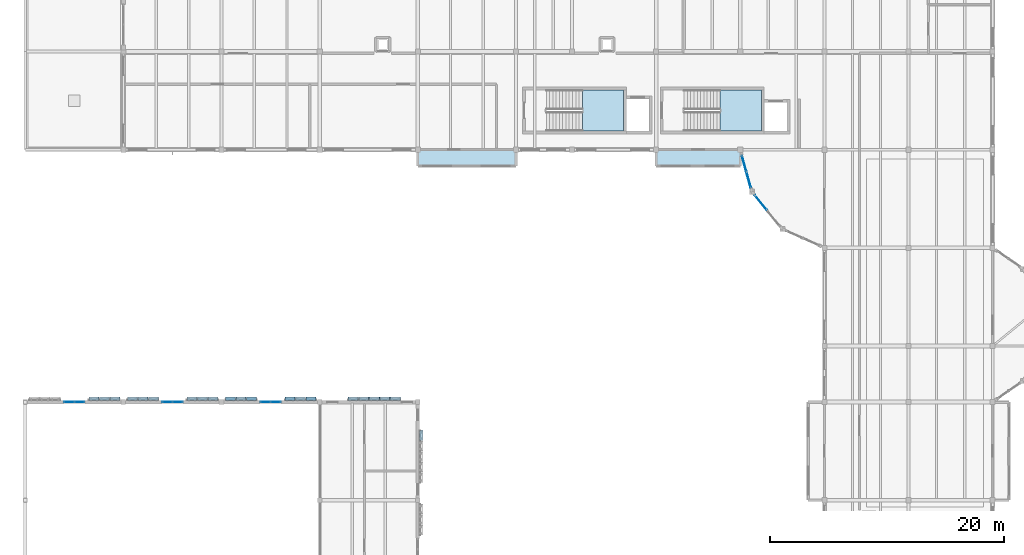
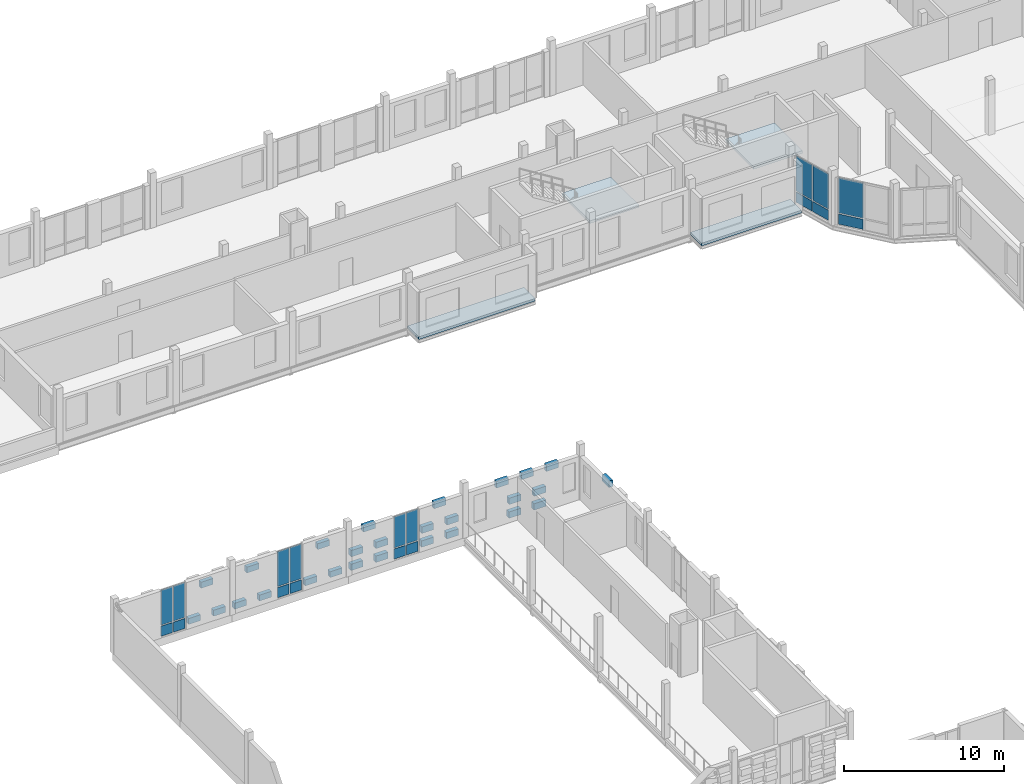
# One storey, part 38 of 81: 45 plates, 4 slabs, 7 elements without a shape of their own.
"""IFC4 building model written with IfcOpenShell, lengths in metres."""

from ifc_helpers import new_model, si_unit, direction, frame, origin, origin_2d, place, context, subcontext, project, spatial, polyline, rectangle, outline, extrude, material, layer, layer_set, type_object, element, aggregate, save


model = new_model("IFC4")

# Units and contexts
model_context = context("Model", 3, precision=1e-05, world=origin(), true_north=direction((0.0, 1.0)))
body_context = subcontext(model_context, "Body", "Model", "MODEL_VIEW")
ifc_project = project(units=[si_unit("LENGTHUNIT", "METRE"), si_unit("AREAUNIT", "SQUARE_METRE"), si_unit("VOLUMEUNIT", "CUBIC_METRE"), si_unit("PLANEANGLEUNIT", "RADIAN"), si_unit("MASSUNIT", "GRAM", prefix="KILO")], contexts=[model_context])

# Site, building, storey
site_placement = place(None, origin())
site = spatial("IfcSite", under=ifc_project, at=site_placement, CompositionType="ELEMENT")
building_placement = place(site_placement, origin())
building = spatial("IfcBuilding", under=site, at=building_placement, Name="Kahlenmark Community Centre", CompositionType="ELEMENT")
storey_placement = place(building_placement, frame((0.0, 0.0, 9.60009765625)))
storey = spatial("IfcBuildingStorey", under=building, at=storey_placement, Name="L02", CompositionType="ELEMENT", Elevation=9.60009765625)

# Curtain wall, plates
ifc_material_1 = material(Name="Anodised aluminium unitised curtain wall", Category="aluminium")
curtain_wall_type_1 = type_object("IfcCurtainWallType", Name="CWT-UNIT-290X361", PredefinedType="USERDEFINED", material=ifc_material_1)
curtain_wall_1_placement = place(storey_placement, origin())
curtain_wall_1 = element("IfcCurtainWall", 1, at=curtain_wall_1_placement, inside=storey, type_object=curtain_wall_type_1, Name="Unitised curtain wall CW-179", ObjectType="UNITISED CURTAIN WALL", PredefinedType="USERDEFINED")
ifc_material_2 = material(Name="Triple low-e solar-control glass unit", Category="glass")
ifc_layer_1 = layer(ifc_material_2, 0.0439453125)
ifc_layer_set_1 = layer_set([ifc_layer_1], Name="Triple low-e solar-control glass unit")
plate_type_1 = type_object("IfcPlateType", Name="PLT-CW-GLZ-1368X2680", PredefinedType="CURTAIN_PANEL", material=ifc_layer_set_1)
plate_1_placement = place(storey_placement, frame((65.527587890625, 96.420654296875, 0.89013671875), z_axis=(0.0, 0.0, 1.0), x_axis=(0.26765376878, -0.963515158188, 0.0)))
plate_1 = element("IfcPlate", 2, at=plate_1_placement, type_object=plate_type_1, Name="CW-179 glazed panel 1", PredefinedType="CURTAIN_PANEL", context=body_context, shape_type="SweptSolid", body=[
    extrude(rectangle(XDim=1.3681640625, YDim=0.0439453125, at=origin_2d()), origin(), (0.0, 0.0, 1.0), 2.679931640625),
])
plate_2_placement = place(storey_placement, frame((65.915283203125, 95.025146484375, 0.89013671875), z_axis=(0.0, 0.0, 1.0), x_axis=(0.26765376878, -0.963515158188, 0.0)))
plate_2 = element("IfcPlate", 3, at=plate_2_placement, type_object=plate_type_1, Name="CW-179 glazed panel 2", PredefinedType="CURTAIN_PANEL", context=body_context, shape_type="SweptSolid", body=[
    extrude(rectangle(XDim=1.3681640625, YDim=0.0439453125, at=origin_2d()), origin(), (0.0, 0.0, 1.0), 2.679931640625),
])

# Curtain wall, plate
curtain_wall_type_2 = type_object("IfcCurtainWallType", Name="CWT-UNIT-344X361", PredefinedType="USERDEFINED", material=ifc_material_1)
curtain_wall_2_placement = place(storey_placement, origin())
curtain_wall_2 = element("IfcCurtainWall", 4, at=curtain_wall_2_placement, inside=storey, type_object=curtain_wall_type_2, Name="Unitised curtain wall CW-180", ObjectType="UNITISED CURTAIN WALL", PredefinedType="USERDEFINED")
ifc_layer_2 = layer(ifc_material_2, 0.0439453125)
ifc_layer_set_2 = layer_set([ifc_layer_2], Name="Triple low-e solar-control glass unit")
plate_type_2 = type_object("IfcPlateType", Name="PLT-CW-GLZ-1642X2680", PredefinedType="CURTAIN_PANEL", material=ifc_layer_set_2)
plate_3_placement = place(storey_placement, frame((66.957275390625, 93.068115234375, 0.89013671875), z_axis=(0.0, 0.0, 1.0), x_axis=(0.63059860029, -0.776109145231, 0.0)))
plate_3 = element("IfcPlate", 5, at=plate_3_placement, type_object=plate_type_2, Name="CW-180 glazed panel 1", PredefinedType="CURTAIN_PANEL", context=body_context, shape_type="SweptSolid", body=[
    extrude(rectangle(XDim=1.6416015625, YDim=0.0439453125, at=origin_2d()), origin(), (0.0, 0.0, 1.0), 2.679931640625),
])

# Curtain wall, plates
curtain_wall_type_3 = type_object("IfcCurtainWallType", Name="CWT-UNIT-180X331", PredefinedType="USERDEFINED", material=ifc_material_1)
curtain_wall_3_placement = place(storey_placement, origin())
curtain_wall_3 = element("IfcCurtainWall", 6, at=curtain_wall_3_placement, inside=storey, type_object=curtain_wall_type_3, Name="Unitised curtain wall CW-076", ObjectType="UNITISED CURTAIN WALL", PredefinedType="USERDEFINED")
ifc_layer_3 = layer(ifc_material_2, 0.0439453125)
ifc_layer_set_3 = layer_set([ifc_layer_3], Name="Triple low-e solar-control glass unit")
plate_type_3 = type_object("IfcPlateType", Name="PLT-CW-GLZ-820X2380", PredefinedType="CURTAIN_PANEL", material=ifc_layer_set_3)
plate_4_placement = place(storey_placement, frame((25.449951171875, 76.0, 0.889892578125), z_axis=(0.0, 0.0, 1.0), x_axis=(-1.0, 0.0, 0.0)))
plate_4 = element("IfcPlate", 7, at=plate_4_placement, type_object=plate_type_3, Name="CW-076 glazed panel 1", PredefinedType="CURTAIN_PANEL", context=body_context, shape_type="SweptSolid", body=[
    extrude(rectangle(XDim=0.820068359375, YDim=0.0439453125, at=origin_2d()), origin(), (0.0, 0.0, 1.0), 2.3798828125),
])
plate_5_placement = place(storey_placement, frame((24.550048828125, 76.0, 0.889892578125), z_axis=(0.0, 0.0, 1.0), x_axis=(-1.0, 0.0, 0.0)))
plate_5 = element("IfcPlate", 8, at=plate_5_placement, type_object=plate_type_3, Name="CW-076 glazed panel 2", PredefinedType="CURTAIN_PANEL", context=body_context, shape_type="SweptSolid", body=[
    extrude(rectangle(XDim=0.820068359375, YDim=0.0439453125, at=origin_2d()), origin(), (0.0, 0.0, 1.0), 2.3798828125),
])

curtain_wall_type_4 = type_object("IfcCurtainWallType", Name="CWT-UNIT-180X359", PredefinedType="USERDEFINED", material=ifc_material_1)
curtain_wall_4_placement = place(storey_placement, origin())
curtain_wall_4 = element("IfcCurtainWall", 9, at=curtain_wall_4_placement, inside=storey, type_object=curtain_wall_type_4, Name="Unitised curtain wall CW-074", ObjectType="UNITISED CURTAIN WALL", PredefinedType="USERDEFINED")
ifc_layer_4 = layer(ifc_material_2, 0.0439453125)
ifc_layer_set_4 = layer_set([ifc_layer_4], Name="Triple low-e solar-control glass unit")
plate_type_4 = type_object("IfcPlateType", Name="PLT-CW-GLZ-820X2660", PredefinedType="CURTAIN_PANEL", material=ifc_layer_set_4)
plate_6_placement = place(storey_placement, frame((8.64990234375, 76.0, 0.89013671875), z_axis=(0.0, 0.0, 1.0), x_axis=(-1.0, 0.0, 0.0)))
plate_6 = element("IfcPlate", 10, at=plate_6_placement, type_object=plate_type_4, Name="CW-074 glazed panel 1", PredefinedType="CURTAIN_PANEL", context=body_context, shape_type="SweptSolid", body=[
    extrude(rectangle(XDim=0.820068359375, YDim=0.0439453125, at=origin_2d()), origin(), (0.0, 0.0, 1.0), 2.659912109375),
])
plate_7_placement = place(storey_placement, frame((7.75, 76.0, 0.89013671875), z_axis=(0.0, 0.0, 1.0), x_axis=(-1.0, 0.0, 0.0)))
plate_7 = element("IfcPlate", 11, at=plate_7_placement, type_object=plate_type_4, Name="CW-074 glazed panel 2", PredefinedType="CURTAIN_PANEL", context=body_context, shape_type="SweptSolid", body=[
    extrude(rectangle(XDim=0.820068359375, YDim=0.0439453125, at=origin_2d()), origin(), (0.0, 0.0, 1.0), 2.659912109375),
])

curtain_wall_5_placement = place(storey_placement, origin())
curtain_wall_5 = element("IfcCurtainWall", 12, at=curtain_wall_5_placement, inside=storey, type_object=curtain_wall_type_4, Name="Unitised curtain wall CW-075", ObjectType="UNITISED CURTAIN WALL", PredefinedType="USERDEFINED")
plate_8_placement = place(storey_placement, frame((17.050048828125, 76.0, 0.89013671875), z_axis=(0.0, 0.0, 1.0), x_axis=(-1.0, 0.0, 0.0)))
plate_8 = element("IfcPlate", 13, at=plate_8_placement, type_object=plate_type_4, Name="CW-075 glazed panel 1", PredefinedType="CURTAIN_PANEL", context=body_context, shape_type="SweptSolid", body=[
    extrude(rectangle(XDim=0.820068359375, YDim=0.0439453125, at=origin_2d()), origin(), (0.0, 0.0, 1.0), 2.659912109375),
])
plate_9_placement = place(storey_placement, frame((16.14990234375, 76.0, 0.89013671875), z_axis=(0.0, 0.0, 1.0), x_axis=(-1.0, 0.0, 0.0)))
plate_9 = element("IfcPlate", 14, at=plate_9_placement, type_object=plate_type_4, Name="CW-075 glazed panel 2", PredefinedType="CURTAIN_PANEL", context=body_context, shape_type="SweptSolid", body=[
    extrude(rectangle(XDim=0.820068359375, YDim=0.0439453125, at=origin_2d()), origin(), (0.0, 0.0, 1.0), 2.659912109375),
])

# Plate
ifc_material_3 = material(Name="Warm terracotta insulated spandrel cassette", Category="masonry")
ifc_layer_5 = layer(ifc_material_3, 0.06005859375)
ifc_layer_set_5 = layer_set([ifc_layer_5], Name="Warm terracotta insulated spandrel cassette")
plate_type_5 = type_object("IfcPlateType", Name="PLT-CW-SPD-1368X770", PredefinedType="CURTAIN_PANEL", material=ifc_layer_set_5)
plate_10_placement = place(storey_placement, frame((65.527587890625, 96.420654296875, 0.039794921875), z_axis=(0.0, 0.0, 1.0), x_axis=(0.26765376878, -0.963515158188, 0.0)))
plate_10 = element("IfcPlate", 15, at=plate_10_placement, type_object=plate_type_5, Name="CW-179 spandrel 1", PredefinedType="CURTAIN_PANEL", context=body_context, shape_type="SweptSolid", body=[
    extrude(rectangle(XDim=1.3681640625, YDim=0.06005859375, at=origin_2d()), origin(), (0.0, 0.0, 1.0), 0.77001953125),
])

plate_11_placement = place(storey_placement, frame((65.915283203125, 95.025146484375, 0.039794921875), z_axis=(0.0, 0.0, 1.0), x_axis=(0.26765376878, -0.963515158188, 0.0)))
plate_11 = element("IfcPlate", 16, at=plate_11_placement, type_object=plate_type_5, Name="CW-179 spandrel 2", PredefinedType="CURTAIN_PANEL", context=body_context, shape_type="SweptSolid", body=[
    extrude(rectangle(XDim=1.3681640625, YDim=0.06005859375, at=origin_2d()), origin(), (0.0, 0.0, 1.0), 0.77001953125),
])

aggregate(curtain_wall_1, [plate_10, plate_1, plate_11, plate_2])

ifc_layer_6 = layer(ifc_material_3, 0.06005859375)
ifc_layer_set_6 = layer_set([ifc_layer_6], Name="Warm terracotta insulated spandrel cassette")
plate_type_6 = type_object("IfcPlateType", Name="PLT-CW-SPD-1642X770", PredefinedType="CURTAIN_PANEL", material=ifc_layer_set_6)
plate_12_placement = place(storey_placement, frame((66.957275390625, 93.068115234375, 0.039794921875), z_axis=(0.0, 0.0, 1.0), x_axis=(0.63059860029, -0.776109145231, 0.0)))
plate_12 = element("IfcPlate", 17, at=plate_12_placement, type_object=plate_type_6, Name="CW-180 spandrel 1", PredefinedType="CURTAIN_PANEL", context=body_context, shape_type="SweptSolid", body=[
    extrude(rectangle(XDim=1.6416015625, YDim=0.06005859375, at=origin_2d()), origin(), (0.0, 0.0, 1.0), 0.77001953125),
])

aggregate(curtain_wall_2, [plate_12, plate_3])

ifc_layer_7 = layer(ifc_material_3, 0.06005859375)
ifc_layer_set_7 = layer_set([ifc_layer_7], Name="Warm terracotta insulated spandrel cassette")
plate_type_7 = type_object("IfcPlateType", Name="PLT-CW-SPD-820X770", PredefinedType="CURTAIN_PANEL", material=ifc_layer_set_7)
plate_13_placement = place(storey_placement, frame((8.64990234375, 76.0, 0.039794921875), z_axis=(0.0, 0.0, 1.0), x_axis=(-1.0, 0.0, 0.0)))
plate_13 = element("IfcPlate", 18, at=plate_13_placement, type_object=plate_type_7, Name="CW-074 spandrel 1", PredefinedType="CURTAIN_PANEL", context=body_context, shape_type="SweptSolid", body=[
    extrude(rectangle(XDim=0.820068359375, YDim=0.06005859375, at=origin_2d()), origin(), (0.0, 0.0, 1.0), 0.77001953125),
])

plate_14_placement = place(storey_placement, frame((7.75, 76.0, 0.039794921875), z_axis=(0.0, 0.0, 1.0), x_axis=(-1.0, 0.0, 0.0)))
plate_14 = element("IfcPlate", 19, at=plate_14_placement, type_object=plate_type_7, Name="CW-074 spandrel 2", PredefinedType="CURTAIN_PANEL", context=body_context, shape_type="SweptSolid", body=[
    extrude(rectangle(XDim=0.820068359375, YDim=0.06005859375, at=origin_2d()), origin(), (0.0, 0.0, 1.0), 0.77001953125),
])

aggregate(curtain_wall_4, [plate_13, plate_6, plate_14, plate_7])

plate_15_placement = place(storey_placement, frame((17.050048828125, 76.0, 0.039794921875), z_axis=(0.0, 0.0, 1.0), x_axis=(-1.0, 0.0, 0.0)))
plate_15 = element("IfcPlate", 20, at=plate_15_placement, type_object=plate_type_7, Name="CW-075 spandrel 1", PredefinedType="CURTAIN_PANEL", context=body_context, shape_type="SweptSolid", body=[
    extrude(rectangle(XDim=0.820068359375, YDim=0.06005859375, at=origin_2d()), origin(), (0.0, 0.0, 1.0), 0.77001953125),
])

plate_16_placement = place(storey_placement, frame((16.14990234375, 76.0, 0.039794921875), z_axis=(0.0, 0.0, 1.0), x_axis=(-1.0, 0.0, 0.0)))
plate_16 = element("IfcPlate", 21, at=plate_16_placement, type_object=plate_type_7, Name="CW-075 spandrel 2", PredefinedType="CURTAIN_PANEL", context=body_context, shape_type="SweptSolid", body=[
    extrude(rectangle(XDim=0.820068359375, YDim=0.06005859375, at=origin_2d()), origin(), (0.0, 0.0, 1.0), 0.77001953125),
])

aggregate(curtain_wall_5, [plate_15, plate_8, plate_16, plate_9])

plate_17_placement = place(storey_placement, frame((25.449951171875, 76.0, 0.039794921875), z_axis=(0.0, 0.0, 1.0), x_axis=(-1.0, 0.0, 0.0)))
plate_17 = element("IfcPlate", 22, at=plate_17_placement, type_object=plate_type_7, Name="CW-076 spandrel 1", PredefinedType="CURTAIN_PANEL", context=body_context, shape_type="SweptSolid", body=[
    extrude(rectangle(XDim=0.820068359375, YDim=0.06005859375, at=origin_2d()), origin(), (0.0, 0.0, 1.0), 0.77001953125),
])

plate_18_placement = place(storey_placement, frame((24.550048828125, 76.0, 0.039794921875), z_axis=(0.0, 0.0, 1.0), x_axis=(-1.0, 0.0, 0.0)))
plate_18 = element("IfcPlate", 23, at=plate_18_placement, type_object=plate_type_7, Name="CW-076 spandrel 2", PredefinedType="CURTAIN_PANEL", context=body_context, shape_type="SweptSolid", body=[
    extrude(rectangle(XDim=0.820068359375, YDim=0.06005859375, at=origin_2d()), origin(), (0.0, 0.0, 1.0), 0.77001953125),
])

aggregate(curtain_wall_3, [plate_17, plate_4, plate_18, plate_5])

# Plates
ifc_material_4 = material(Name="Extruded glazed terracotta weave cassette", Category="masonry")
ifc_layer_8 = layer(ifc_material_4, 0.300048828125)
ifc_layer_set_8 = layer_set([ifc_layer_8], Name="Extruded glazed terracotta weave cassette")
plate_type_8 = type_object("IfcPlateType", Name="PLT-TC-TC-R34-840X300X485", PredefinedType="SHEET", material=ifc_layer_set_8)
for number, where, z_axis, x_axis, name in (
    (24, (28.469970703125, 76.300048828125, 1.14990234375), (0.0, 0.0, 1.0), (-1.0, 0.0, 0.0), "Basketweave terracotta cassette 2559"),
    (25, (26.669921875, 76.300048828125, 1.14990234375), (0.0, 0.0, 1.0), (-1.0, 0.0, 0.0), "Basketweave terracotta cassette 2571"),
    (26, (23.3701171875, 76.300048828125, 1.14990234375), (0.0, 0.0, 1.0), (-1.0, 0.0, 0.0), "Basketweave terracotta cassette 2577"),
    (27, (21.570068359375, 76.300048828125, 1.14990234375), (0.0, 0.0, 1.0), (-1.0, 0.0, 0.0), "Basketweave terracotta cassette 2589"),
    (28, (34.77001953125, 76.300048828125, 1.14990234375), (0.0, 0.0, 1.0), (-1.0, 0.0, 0.0), "Basketweave terracotta cassette 2601"),
    (29, (32.969970703125, 76.300048828125, 1.14990234375), (0.0, 0.0, 1.0), (-1.0, 0.0, 0.0), "Basketweave terracotta cassette 2613"),
):
    element("IfcPlate", number, at=place(storey_placement, frame(where, z_axis=z_axis, x_axis=x_axis)), inside=storey, type_object=plate_type_8, Name=name, PredefinedType="SHEET", context=body_context, shape_type="SweptSolid", body=[
        extrude(rectangle(XDim=0.840087890625, YDim=0.300048828125, at=origin_2d()), origin(), (0.0, 0.0, 1.0), 0.485107421875),
    ])
ifc_layer_9 = layer(ifc_material_4, 0.300048828125)
ifc_layer_set_9 = layer_set([ifc_layer_9], Name="Extruded glazed terracotta weave cassette")
plate_type_9 = type_object("IfcPlateType", Name="PLT-TC-TC-R34-860X300X450", PredefinedType="SHEET", material=ifc_layer_set_9)
for number, where, z_axis, x_axis, name in (
    (30, (11.669921875, 76.300048828125, 0.10009765625), (0.0, 0.0, 1.0), (-1.0, 0.0, 0.0), "Basketweave terracotta cassette 2473"),
    (31, (9.8701171875, 76.300048828125, 0.10009765625), (0.0, 0.0, 1.0), (-1.0, 0.0, 0.0), "Basketweave terracotta cassette 2487"),
    (32, (20.070068359375, 76.300048828125, 0.10009765625), (0.0, 0.0, 1.0), (-1.0, 0.0, 0.0), "Basketweave terracotta cassette 2515"),
    (33, (18.27001953125, 76.300048828125, 0.10009765625), (0.0, 0.0, 1.0), (-1.0, 0.0, 0.0), "Basketweave terracotta cassette 2529"),
    (34, (14.969970703125, 76.300048828125, 0.10009765625), (0.0, 0.0, 1.0), (-1.0, 0.0, 0.0), "Basketweave terracotta cassette 2536"),
    (35, (13.169921875, 76.300048828125, 0.10009765625), (0.0, 0.0, 1.0), (-1.0, 0.0, 0.0), "Basketweave terracotta cassette 2550"),
):
    element("IfcPlate", number, at=place(storey_placement, frame(where, z_axis=z_axis, x_axis=x_axis)), inside=storey, type_object=plate_type_9, Name=name, PredefinedType="SHEET", context=body_context, shape_type="SweptSolid", body=[
        extrude(rectangle(XDim=0.860107421875, YDim=0.300048828125, at=origin_2d()), origin(), (0.0, 0.0, 1.0), 0.449951171875),
    ])
ifc_layer_10 = layer(ifc_material_4, 0.300048828125)
ifc_layer_set_10 = layer_set([ifc_layer_10], Name="Extruded glazed terracotta weave cassette")
plate_type_10 = type_object("IfcPlateType", Name="PLT-TC-TC-R34-860X300X485", PredefinedType="SHEET", material=ifc_layer_set_10)
for number, where, z_axis, x_axis, name in (
    (36, (28.469970703125, 76.300048828125, 0.099609375), (0.0, 0.0, 1.0), (-1.0, 0.0, 0.0), "Basketweave terracotta cassette 2557"),
    (37, (26.669921875, 76.300048828125, 0.099609375), (0.0, 0.0, 1.0), (-1.0, 0.0, 0.0), "Basketweave terracotta cassette 2569"),
    (38, (23.3701171875, 76.300048828125, 0.099609375), (0.0, 0.0, 1.0), (-1.0, 0.0, 0.0), "Basketweave terracotta cassette 2575"),
    (39, (21.570068359375, 76.300048828125, 0.099609375), (0.0, 0.0, 1.0), (-1.0, 0.0, 0.0), "Basketweave terracotta cassette 2587"),
    (40, (34.77001953125, 76.300048828125, 0.099609375), (0.0, 0.0, 1.0), (-1.0, 0.0, 0.0), "Basketweave terracotta cassette 2599"),
    (41, (32.969970703125, 76.300048828125, 0.099609375), (0.0, 0.0, 1.0), (-1.0, 0.0, 0.0), "Basketweave terracotta cassette 2611"),
):
    element("IfcPlate", number, at=place(storey_placement, frame(where, z_axis=z_axis, x_axis=x_axis)), inside=storey, type_object=plate_type_10, Name=name, PredefinedType="SHEET", context=body_context, shape_type="SweptSolid", body=[
        extrude(rectangle(XDim=0.860107421875, YDim=0.300048828125, at=origin_2d()), origin(), (0.0, 0.0, 1.0), 0.485107421875),
    ])
ifc_layer_11 = layer(ifc_material_4, 0.280029296875)
ifc_layer_set_11 = layer_set([ifc_layer_11], Name="Extruded glazed terracotta weave cassette")
plate_type_11 = type_object("IfcPlateType", Name="PLT-TC-TC-W30-860X280X450", PredefinedType="SHEET", material=ifc_layer_set_11)
for number, where, z_axis, x_axis, name in (
    (42, (10.77001953125, 76.2900390625, 2.5498046875), (0.0, 0.0, 1.0), (-1.0, 0.0, 0.0), "Basketweave terracotta cassette 2485"),
    (43, (19.169921875, 76.2900390625, 2.5498046875), (0.0, 0.0, 1.0), (-1.0, 0.0, 0.0), "Basketweave terracotta cassette 2527"),
    (44, (14.070068359375, 76.2900390625, 2.5498046875), (0.0, 0.0, 1.0), (-1.0, 0.0, 0.0), "Basketweave terracotta cassette 2548"),
):
    element("IfcPlate", number, at=place(storey_placement, frame(where, z_axis=z_axis, x_axis=x_axis)), inside=storey, type_object=plate_type_11, Name=name, PredefinedType="SHEET", context=body_context, shape_type="SweptSolid", body=[
        extrude(rectangle(XDim=0.860107421875, YDim=0.280029296875, at=origin_2d()), origin(), (0.0, 0.0, 1.0), 0.449951171875),
    ])
ifc_layer_12 = layer(ifc_material_4, 0.280029296875)
ifc_layer_set_12 = layer_set([ifc_layer_12], Name="Extruded glazed terracotta weave cassette")
plate_type_12 = type_object("IfcPlateType", Name="PLT-TC-TC-W30-860X280X485", PredefinedType="SHEET", material=ifc_layer_set_12)
for number, where, z_axis, x_axis, name in (
    (45, (27.570068359375, 76.2900390625, 2.724609375), (0.0, 0.0, 1.0), (-1.0, 0.0, 0.0), "Basketweave terracotta cassette 2568"),
    (46, (22.469970703125, 76.2900390625, 2.724609375), (0.0, 0.0, 1.0), (-1.0, 0.0, 0.0), "Basketweave terracotta cassette 2586"),
    (47, (35.669921875, 76.2900390625, 2.724609375), (0.0, 0.0, 1.0), (-1.0, 0.0, 0.0), "Basketweave terracotta cassette 2598"),
    (48, (33.8701171875, 76.2900390625, 2.724609375), (0.0, 0.0, 1.0), (-1.0, 0.0, 0.0), "Basketweave terracotta cassette 2610"),
    (49, (32.070068359375, 76.2900390625, 2.724609375), (0.0, 0.0, 1.0), (-1.0, 0.0, 0.0), "Basketweave terracotta cassette 2622"),
    (50, (37.889892578125, 73.1298828125, 2.724609375), (0.0, 0.0, 1.0), (0.0, 1.0, 0.0), "Basketweave terracotta cassette 2760"),
):
    element("IfcPlate", number, at=place(storey_placement, frame(where, z_axis=z_axis, x_axis=x_axis)), inside=storey, type_object=plate_type_12, Name=name, PredefinedType="SHEET", context=body_context, shape_type="SweptSolid", body=[
        extrude(rectangle(XDim=0.860107421875, YDim=0.280029296875, at=origin_2d()), origin(), (0.0, 0.0, 1.0), 0.485107421875),
    ])

# Stair, slab
ifc_material_5 = material(Name="Concrete C35/45", Category="concrete")
stair_type_1 = type_object("IfcStairType", Name="STT-CORE-ST-04-175", PredefinedType="HALF_TURN_STAIR", material=ifc_material_5)
stair_1_placement = place(storey_placement, origin())
stair_1 = element("IfcStair", 51, at=stair_1_placement, inside=storey, type_object=stair_type_1, Name="L02 Core K4 Escape Stair ST-04", PredefinedType="HALF_TURN_STAIR")
ifc_layer_13 = layer(ifc_material_5, 0.199951171875)
ifc_layer_set_13 = layer_set([ifc_layer_13], Name="Concrete C35/45")
slab_type_1 = type_object("IfcSlabType", Name="SLT-CORE-200", PredefinedType="LANDING", material=ifc_layer_set_13)
slab_1_placement = place(storey_placement, frame((0.0, 0.0, 1.89990234375)))
slab_1 = element("IfcSlab", 52, at=slab_1_placement, type_object=slab_type_1, Name="ST-04 landing 1", PredefinedType="LANDING", context=body_context, shape_type="SweptSolid", body=[
    extrude(outline(polyline([(51.679931640625, 99.199951171875), (55.199951171875, 99.199951171875), (55.199951171875, 102.699951171875), (51.679931640625, 102.699951171875), (51.679931640625, 99.199951171875)])), origin(), (0.0, 0.0, 1.0), 0.199951171875),
])
aggregate(stair_1, [slab_1])

stair_type_2 = type_object("IfcStairType", Name="STT-CORE-ST-05-175", PredefinedType="HALF_TURN_STAIR", material=ifc_material_5)
stair_2_placement = place(storey_placement, origin())
stair_2 = element("IfcStair", 53, at=stair_2_placement, inside=storey, type_object=stair_type_2, Name="L02 Core K5 Escape Stair ST-05", PredefinedType="HALF_TURN_STAIR")
slab_2_placement = place(storey_placement, frame((0.0, 0.0, 1.89990234375)))
slab_2 = element("IfcSlab", 54, at=slab_2_placement, type_object=slab_type_1, Name="ST-05 landing 1", PredefinedType="LANDING", context=body_context, shape_type="SweptSolid", body=[
    extrude(outline(polyline([(63.47998046875, 99.199951171875), (67.0, 99.199951171875), (67.0, 102.699951171875), (63.47998046875, 102.699951171875), (63.47998046875, 99.199951171875)])), origin(), (0.0, 0.0, 1.0), 0.199951171875),
])
aggregate(stair_2, [slab_2])

# Slabs
ifc_material_6 = material(Name="Cross-laminated timber CLT C24", Category="wood")
ifc_layer_14 = layer(ifc_material_6, 0.199951171875)
ifc_layer_set_14 = layer_set([ifc_layer_14], Name="Cross-laminated timber CLT C24")
slab_type_2 = type_object("IfcSlabType", Name="ST-FL-CLT200", PredefinedType="FLOOR", material=ifc_layer_set_14)
slab_3_placement = place(storey_placement, frame((0.0, 0.0, -0.2001953125)))
element("IfcSlab", 55, at=slab_3_placement, inside=storey, type_object=slab_type_2, Name="L02 reading-room bay oriel ORI-S1", PredefinedType="FLOOR", context=body_context, shape_type="SweptSolid", body=[
    extrude(outline(polyline([(37.60009765625, 96.199951171875), (46.0, 96.199951171875), (46.0, 97.60009765625), (37.60009765625, 97.60009765625), (37.60009765625, 96.199951171875)])), origin(), (0.0, 0.0, 1.0), 0.2001953125),
])
slab_4_placement = place(storey_placement, frame((0.0, 0.0, -0.2001953125)))
element("IfcSlab", 56, at=slab_4_placement, inside=storey, type_object=slab_type_2, Name="L02 reading-room bay oriel ORI-S2", PredefinedType="FLOOR", context=body_context, shape_type="SweptSolid", body=[
    extrude(outline(polyline([(58.0, 96.199951171875), (65.199951171875, 96.199951171875), (65.199951171875, 97.60009765625), (58.0, 97.60009765625), (58.0, 96.199951171875)])), origin(), (0.0, 0.0, 1.0), 0.2001953125),
])

save(model, "model.ifc")
